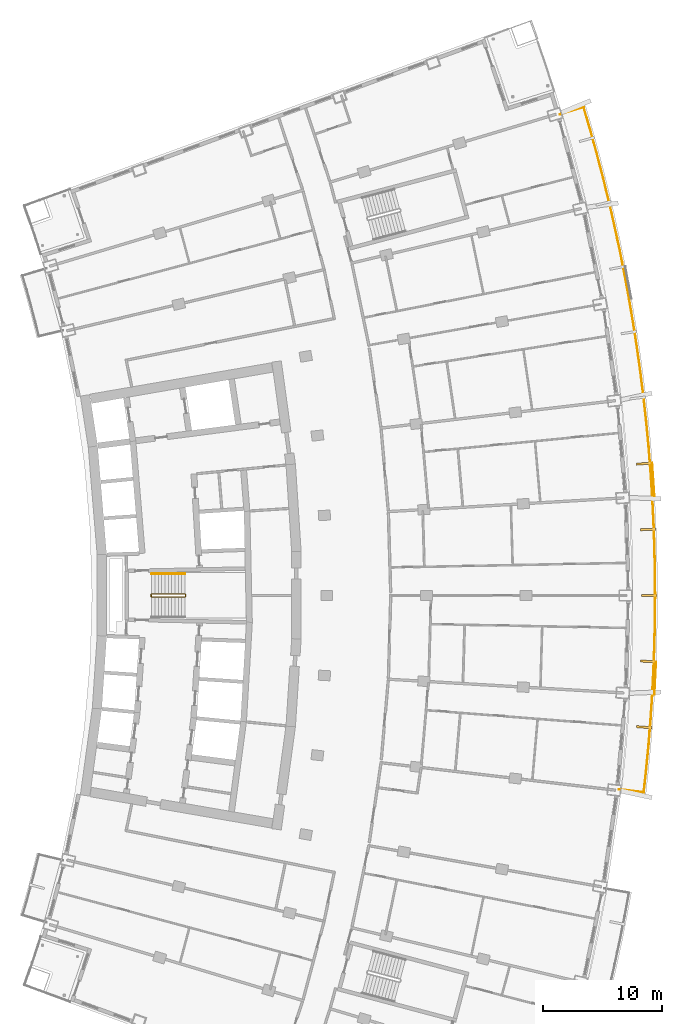
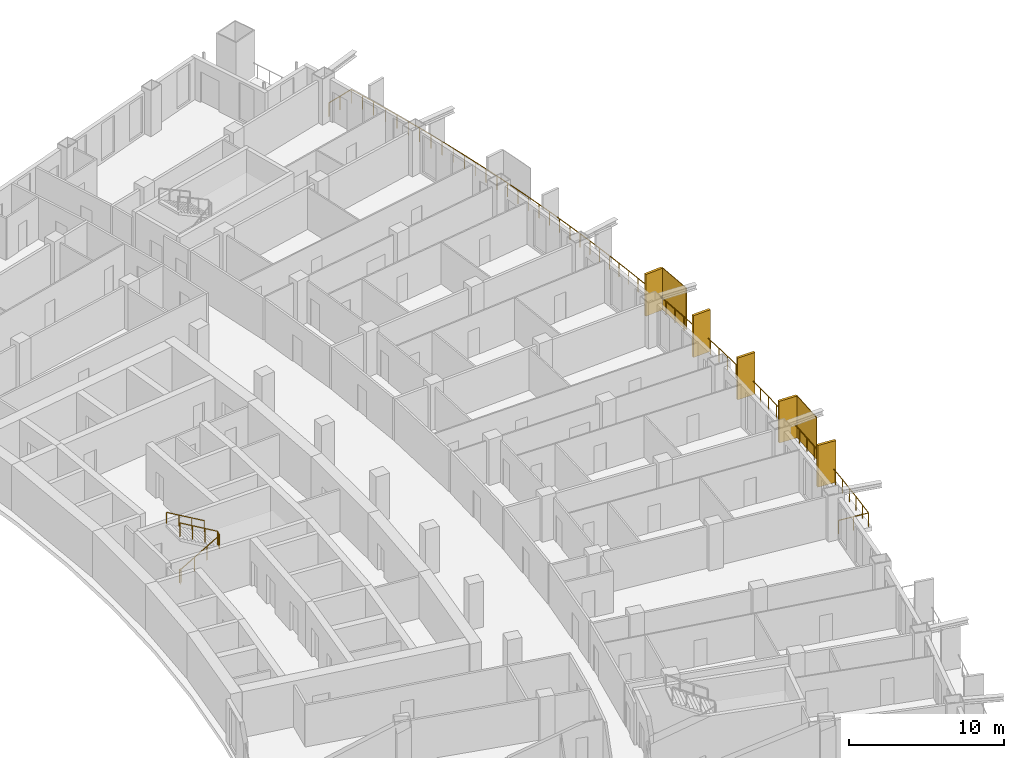
# One storey, part 24 of 25: 7 shading devices, 3 railings.
"""IFC4 building model written with IfcOpenShell, lengths in metres."""

from ifc_helpers import new_model, si_unit, direction, frame, origin, origin_2d, place, context, subcontext, project, spatial, rectangle, extrude, material, layer, layer_set, type_object, element, save


model = new_model("IFC4")

# Units and contexts
model_context = context("Model", 3, precision=1e-05, world=origin(), true_north=direction((0.0, 1.0)))
body_context = subcontext(model_context, "Body", "Model", "MODEL_VIEW")
ifc_project = project(units=[si_unit("LENGTHUNIT", "METRE"), si_unit("AREAUNIT", "SQUARE_METRE"), si_unit("VOLUMEUNIT", "CUBIC_METRE"), si_unit("PLANEANGLEUNIT", "RADIAN"), si_unit("MASSUNIT", "GRAM", prefix="KILO")], contexts=[model_context])

# Site, building, storey
site_placement = place(None, origin())
site = spatial("IfcSite", under=ifc_project, at=site_placement, CompositionType="ELEMENT")
building_placement = place(site_placement, origin())
building = spatial("IfcBuilding", under=site, at=building_placement, Name="Alderwake Tower", CompositionType="ELEMENT")
storey_placement = place(building_placement, frame((0.0, 0.0, 107.60009765625)))
storey = spatial("IfcBuildingStorey", under=building, at=storey_placement, Name="L26", CompositionType="ELEMENT", Elevation=107.60009765625)

# Railing
ifc_material_1 = material(Name="Stainless steel 316 rail and posts", Category="steel")
railing_type_1 = type_object("IfcRailingType", Name="Balcony guard 1100", PredefinedType="GUARDRAIL", material=ifc_material_1)
railing_1_placement = place(storey_placement, frame((60.4501953125, 44.638671875, 0.0)))
element("IfcRailing", 1, at=railing_1_placement, inside=storey, type_object=railing_type_1, Name="Guard BF05", PredefinedType="GUARDRAIL", context=body_context, shape_type="SweptSolid", body=[
    extrude(rectangle(XDim=0.048095703125, YDim=0.048095703125, at=origin_2d()), frame((0.0, 0.0, 1.076171875), z_axis=(0.993273839517, -0.115788944775, 0.0), x_axis=(0.115788944775, 0.993273839517, 0.0)), (0.0, 0.0, 1.0), 2.10009765625),
    extrude(rectangle(XDim=0.048095703125, YDim=0.048095703125, at=origin_2d()), frame((2.0859375, -0.2431640625, 1.076171875), z_axis=(0.108790906311, 0.994064655193, 0.0), x_axis=(-0.994064655193, 0.108790906311, 0.0)), (0.0, 0.0, 1.0), 1.99267578125),
    extrude(rectangle(XDim=0.048095703125, YDim=0.048095703125, at=origin_2d()), frame((2.302734375, 1.73779296875, 1.076171875), z_axis=(0.094616394776, 0.995513805951, 0.0), x_axis=(-0.995513805951, 0.094616394776, 0.0)), (0.0, 0.0, 1.0), 2.092529296875),
    extrude(rectangle(XDim=0.048095703125, YDim=0.048095703125, at=origin_2d()), frame((2.500732421875, 3.821044921875, 1.076171875), z_axis=(0.080148626966, 0.996782924009, 0.0), x_axis=(-0.996782924009, 0.080148626966, 0.0)), (0.0, 0.0, 1.0), 2.0927734375),
    extrude(rectangle(XDim=0.048095703125, YDim=0.048095703125, at=origin_2d()), frame((2.66845703125, 5.906982421875, 1.076171875), z_axis=(0.06556654831, 0.997848198747, 0.0), x_axis=(-0.997848198747, 0.06556654831, 0.0)), (0.0, 0.0, 1.0), 2.092529296875),
    extrude(rectangle(XDim=0.048095703125, YDim=0.048095703125, at=origin_2d()), frame((2.8056640625, 7.9951171875, 1.076171875), z_axis=(0.051095418046, 0.998693776017, 0.0), x_axis=(-0.998693776017, 0.051095418046, 0.0)), (0.0, 0.0, 1.0), 2.0927734375),
    extrude(rectangle(XDim=0.048095703125, YDim=0.048095703125, at=origin_2d()), frame((2.91259765625, 10.085205078125, 1.076171875), z_axis=(0.036398931808, 0.999337339322, 0.0), x_axis=(-0.999337339322, 0.036398931808, 0.0)), (0.0, 0.0, 1.0), 2.0927734375),
    extrude(rectangle(XDim=0.048095703125, YDim=0.048095703125, at=origin_2d()), frame((2.98876953125, 12.176513671875, 1.076171875), z_axis=(0.021815110635, 0.999762022157, 0.0), x_axis=(-0.999762022157, 0.021815110635, 0.0)), (0.0, 0.0, 1.0), 2.0927734375),
    extrude(rectangle(XDim=0.048095703125, YDim=0.048095703125, at=origin_2d()), frame((3.034423828125, 14.268798828125, 1.076171875), z_axis=(0.007350168964, 0.999972987143, 0.0), x_axis=(-0.999972987143, 0.007350168964, 0.0)), (0.0, 0.0, 1.0), 2.092529296875),
    extrude(rectangle(XDim=0.048095703125, YDim=0.048095703125, at=origin_2d()), frame((3.0498046875, 16.361328125, 1.076171875), z_axis=(-0.007350168964, 0.999972987143, 0.0), x_axis=(-0.999972987143, -0.007350168964, 0.0)), (0.0, 0.0, 1.0), 2.092529296875),
    extrude(rectangle(XDim=0.048095703125, YDim=0.048095703125, at=origin_2d()), frame((3.034423828125, 18.453857421875, 1.076171875), z_axis=(-0.021815110635, 0.999762022157, 0.0), x_axis=(-0.999762022157, -0.021815110635, 0.0)), (0.0, 0.0, 1.0), 2.0927734375),
    extrude(rectangle(XDim=0.048095703125, YDim=0.048095703125, at=origin_2d()), frame((2.98876953125, 20.546142578125, 1.076171875), z_axis=(-0.036398931808, 0.999337339322, 0.0), x_axis=(-0.999337339322, -0.036398931808, 0.0)), (0.0, 0.0, 1.0), 2.0927734375),
    extrude(rectangle(XDim=0.048095703125, YDim=0.048095703125, at=origin_2d()), frame((2.91259765625, 22.637451171875, 1.076171875), z_axis=(-0.051095418046, 0.998693776017, 0.0), x_axis=(-0.998693776017, -0.051095418046, 0.0)), (0.0, 0.0, 1.0), 2.0927734375),
    extrude(rectangle(XDim=0.048095703125, YDim=0.048095703125, at=origin_2d()), frame((2.8056640625, 24.7275390625, 1.076171875), z_axis=(-0.06556654831, 0.997848198747, 0.0), x_axis=(-0.997848198747, -0.06556654831, 0.0)), (0.0, 0.0, 1.0), 2.092529296875),
    extrude(rectangle(XDim=0.048095703125, YDim=0.048095703125, at=origin_2d()), frame((2.66845703125, 26.815673828125, 1.076171875), z_axis=(-0.080148626966, 0.996782924009, 0.0), x_axis=(-0.996782924009, -0.080148626966, 0.0)), (0.0, 0.0, 1.0), 2.0927734375),
    extrude(rectangle(XDim=0.048095703125, YDim=0.048095703125, at=origin_2d()), frame((2.500732421875, 28.901611328125, 1.076171875), z_axis=(-0.094616394776, 0.995513805951, 0.0), x_axis=(-0.995513805951, -0.094616394776, 0.0)), (0.0, 0.0, 1.0), 2.092529296875),
    extrude(rectangle(XDim=0.048095703125, YDim=0.048095703125, at=origin_2d()), frame((2.302734375, 30.98486328125, 1.076171875), z_axis=(-0.109202149119, 0.994019562497, 0.0), x_axis=(-0.994019562497, -0.109202149119, 0.0)), (0.0, 0.0, 1.0), 2.092529296875),
    extrude(rectangle(XDim=0.048095703125, YDim=0.048095703125, at=origin_2d()), frame((2.07421875, 33.06494140625, 1.076171875), z_axis=(-0.123546528168, 0.992338780547, 0.0), x_axis=(-0.992338780547, -0.123546528168, 0.0)), (0.0, 0.0, 1.0), 2.0927734375),
    extrude(rectangle(XDim=0.048095703125, YDim=0.048095703125, at=origin_2d()), frame((1.815673828125, 35.1416015625, 1.076171875), z_axis=(-0.138121519768, 0.990415289551, 0.0), x_axis=(-0.990415289551, -0.138121519768, 0.0)), (0.0, 0.0, 1.0), 2.0927734375),
    extrude(rectangle(XDim=0.048095703125, YDim=0.048095703125, at=origin_2d()), frame((1.526611328125, 37.21435546875, 1.076171875), z_axis=(-0.15248675564, 0.988305514178, 0.0), x_axis=(-0.988305514178, -0.15248675564, 0.0)), (0.0, 0.0, 1.0), 2.092529296875),
    extrude(rectangle(XDim=0.048095703125, YDim=0.048095703125, at=origin_2d()), frame((1.20751953125, 39.282470703125, 1.076171875), z_axis=(-0.166933326396, 0.985968186372, 0.0), x_axis=(-0.985968186372, -0.166933326396, 0.0)), (0.0, 0.0, 1.0), 2.0927734375),
    extrude(rectangle(XDim=0.048095703125, YDim=0.048095703125, at=origin_2d()), frame((0.858154296875, 41.345947265625, 1.076171875), z_axis=(-0.18130793509, 0.983426373794, 0.0), x_axis=(-0.983426373794, -0.18130793509, 0.0)), (0.0, 0.0, 1.0), 2.092529296875),
    extrude(rectangle(XDim=0.048095703125, YDim=0.048095703125, at=origin_2d()), frame((0.478759765625, 43.40380859375, 1.076171875), z_axis=(-0.195644970766, 0.980674790853, 0.0), x_axis=(-0.980674790853, -0.195644970766, 0.0)), (0.0, 0.0, 1.0), 2.0927734375),
    extrude(rectangle(XDim=0.048095703125, YDim=0.048095703125, at=origin_2d()), frame((0.0693359375, 45.4560546875, 1.076171875), z_axis=(-0.209871658439, 0.977728943513, 0.0), x_axis=(-0.977728943513, -0.209871658439, 0.0)), (0.0, 0.0, 1.0), 2.0927734375),
    extrude(rectangle(XDim=0.048095703125, YDim=0.048095703125, at=origin_2d()), frame((-0.369873046875, 47.502197265625, 1.076171875), z_axis=(-0.224101157754, 0.974565888534, 0.0), x_axis=(-0.974565888534, -0.224101157754, 0.0)), (0.0, 0.0, 1.0), 2.0927734375),
    extrude(rectangle(XDim=0.048095703125, YDim=0.048095703125, at=origin_2d()), frame((-0.8388671875, 49.541748046875, 1.076171875), z_axis=(-0.238360646186, 0.971176710156, 0.0), x_axis=(-0.971176710156, -0.238360646186, 0.0)), (0.0, 0.0, 1.0), 2.092529296875),
    extrude(rectangle(XDim=0.048095703125, YDim=0.048095703125, at=origin_2d()), frame((-1.337646484375, 51.573974609375, 1.076171875), z_axis=(-0.252459890033, 0.967607360413, 0.0), x_axis=(-0.967607360413, -0.252459890033, 0.0)), (0.0, 0.0, 1.0), 2.0927734375),
    extrude(rectangle(XDim=0.048095703125, YDim=0.048095703125, at=origin_2d()), frame((-1.865966796875, 53.598876953125, 1.076171875), z_axis=(-0.266452319336, 0.963848100854, 0.0), x_axis=(-0.963848100854, -0.266452319336, 0.0)), (0.0, 0.0, 1.0), 2.0927734375),
    extrude(rectangle(XDim=0.048095703125, YDim=0.048095703125, at=origin_2d()), frame((-2.423583984375, 55.615966796875, 1.076171875), z_axis=(-0.28031519248, 0.95990801271, 0.0), x_axis=(-0.95990801271, -0.28031519248, 0.0)), (0.0, 0.0, 1.0), 1.99267578125),
    extrude(rectangle(XDim=0.048095703125, YDim=0.048095703125, at=origin_2d()), frame((-2.982177734375, 57.52880859375, 1.076171875), z_axis=(-0.957954179098, -0.286921227429, 0.0), x_axis=(0.286921227429, -0.957954179098, 0.0)), (0.0, 0.0, 1.0), 2.10009765625),
    extrude(rectangle(XDim=0.0419921875, YDim=0.0419921875, at=origin_2d()), frame((0.0, 0.0, 0.0), z_axis=(0.0, 0.0, 1.0), x_axis=(0.993273839517, -0.115788944775, 0.0)), (0.0, 0.0, 1.0), 1.052001953125),
    extrude(rectangle(XDim=0.0419921875, YDim=0.0419921875, at=origin_2d()), frame((1.04296875, -0.12158203125, 0.0), z_axis=(0.0, 0.0, 1.0), x_axis=(0.993273839517, -0.115788944775, 0.0)), (0.0, 0.0, 1.0), 1.052001953125),
    extrude(rectangle(XDim=0.0419921875, YDim=0.0419921875, at=origin_2d()), frame((2.0859375, -0.2431640625, 0.0), z_axis=(0.0, 0.0, 1.0), x_axis=(0.108790906311, 0.994064655193, 0.0)), (0.0, 0.0, 1.0), 1.052001953125),
    extrude(rectangle(XDim=0.0419921875, YDim=0.0419921875, at=origin_2d()), frame((2.1943359375, 0.747314453125, 0.0), z_axis=(0.0, 0.0, 1.0), x_axis=(0.108790906311, 0.994064655193, 0.0)), (0.0, 0.0, 1.0), 1.052001953125),
    extrude(rectangle(XDim=0.0419921875, YDim=0.0419921875, at=origin_2d()), frame((2.302734375, 1.73779296875, 0.0), z_axis=(0.0, 0.0, 1.0), x_axis=(0.094616394776, 0.995513805951, 0.0)), (0.0, 0.0, 1.0), 1.052001953125),
    extrude(rectangle(XDim=0.0419921875, YDim=0.0419921875, at=origin_2d()), frame((2.40185546875, 2.779296875, 0.0), z_axis=(0.0, 0.0, 1.0), x_axis=(0.094616394776, 0.995513805951, 0.0)), (0.0, 0.0, 1.0), 1.052001953125),
    extrude(rectangle(XDim=0.0419921875, YDim=0.0419921875, at=origin_2d()), frame((2.500732421875, 3.821044921875, 0.0), z_axis=(0.0, 0.0, 1.0), x_axis=(0.080148626966, 0.996782924009, 0.0)), (0.0, 0.0, 1.0), 1.052001953125),
    extrude(rectangle(XDim=0.0419921875, YDim=0.0419921875, at=origin_2d()), frame((2.58447265625, 4.864013671875, 0.0), z_axis=(0.0, 0.0, 1.0), x_axis=(0.080148626966, 0.996782924009, 0.0)), (0.0, 0.0, 1.0), 1.052001953125),
    extrude(rectangle(XDim=0.0419921875, YDim=0.0419921875, at=origin_2d()), frame((2.66845703125, 5.906982421875, 0.0), z_axis=(0.0, 0.0, 1.0), x_axis=(0.06556654831, 0.997848198747, 0.0)), (0.0, 0.0, 1.0), 1.052001953125),
    extrude(rectangle(XDim=0.0419921875, YDim=0.0419921875, at=origin_2d()), frame((2.737060546875, 6.951171875, 0.0), z_axis=(0.0, 0.0, 1.0), x_axis=(0.06556654831, 0.997848198747, 0.0)), (0.0, 0.0, 1.0), 1.052001953125),
    extrude(rectangle(XDim=0.0419921875, YDim=0.0419921875, at=origin_2d()), frame((2.8056640625, 7.9951171875, 0.0), z_axis=(0.0, 0.0, 1.0), x_axis=(0.051095418046, 0.998693776017, 0.0)), (0.0, 0.0, 1.0), 1.052001953125),
    extrude(rectangle(XDim=0.0419921875, YDim=0.0419921875, at=origin_2d()), frame((2.859130859375, 9.0400390625, 0.0), z_axis=(0.0, 0.0, 1.0), x_axis=(0.051095418046, 0.998693776017, 0.0)), (0.0, 0.0, 1.0), 1.052001953125),
    extrude(rectangle(XDim=0.0419921875, YDim=0.0419921875, at=origin_2d()), frame((2.91259765625, 10.085205078125, 0.0), z_axis=(0.0, 0.0, 1.0), x_axis=(0.036398931808, 0.999337339322, 0.0)), (0.0, 0.0, 1.0), 1.052001953125),
    extrude(rectangle(XDim=0.0419921875, YDim=0.0419921875, at=origin_2d()), frame((2.95068359375, 11.130859375, 0.0), z_axis=(0.0, 0.0, 1.0), x_axis=(0.036398931808, 0.999337339322, 0.0)), (0.0, 0.0, 1.0), 1.052001953125),
    extrude(rectangle(XDim=0.0419921875, YDim=0.0419921875, at=origin_2d()), frame((2.98876953125, 12.176513671875, 0.0), z_axis=(0.0, 0.0, 1.0), x_axis=(0.021815110635, 0.999762022157, 0.0)), (0.0, 0.0, 1.0), 1.052001953125),
    extrude(rectangle(XDim=0.0419921875, YDim=0.0419921875, at=origin_2d()), frame((3.01171875, 13.22265625, 0.0), z_axis=(0.0, 0.0, 1.0), x_axis=(0.021815110635, 0.999762022157, 0.0)), (0.0, 0.0, 1.0), 1.052001953125),
    extrude(rectangle(XDim=0.0419921875, YDim=0.0419921875, at=origin_2d()), frame((3.034423828125, 14.268798828125, 0.0), z_axis=(0.0, 0.0, 1.0), x_axis=(0.007350168964, 0.999972987143, 0.0)), (0.0, 0.0, 1.0), 1.052001953125),
    extrude(rectangle(XDim=0.0419921875, YDim=0.0419921875, at=origin_2d()), frame((3.0419921875, 15.31494140625, 0.0), z_axis=(0.0, 0.0, 1.0), x_axis=(0.007350168964, 0.999972987143, 0.0)), (0.0, 0.0, 1.0), 1.052001953125),
    extrude(rectangle(XDim=0.0419921875, YDim=0.0419921875, at=origin_2d()), frame((3.0498046875, 16.361328125, 0.0), z_axis=(0.0, 0.0, 1.0), x_axis=(-0.007350168964, 0.999972987143, 0.0)), (0.0, 0.0, 1.0), 1.052001953125),
    extrude(rectangle(XDim=0.0419921875, YDim=0.0419921875, at=origin_2d()), frame((3.0419921875, 17.40771484375, 0.0), z_axis=(0.0, 0.0, 1.0), x_axis=(-0.007350168964, 0.999972987143, 0.0)), (0.0, 0.0, 1.0), 1.052001953125),
    extrude(rectangle(XDim=0.0419921875, YDim=0.0419921875, at=origin_2d()), frame((3.034423828125, 18.453857421875, 0.0), z_axis=(0.0, 0.0, 1.0), x_axis=(-0.021815110635, 0.999762022157, 0.0)), (0.0, 0.0, 1.0), 1.052001953125),
    extrude(rectangle(XDim=0.0419921875, YDim=0.0419921875, at=origin_2d()), frame((3.01171875, 19.5, 0.0), z_axis=(0.0, 0.0, 1.0), x_axis=(-0.021815110635, 0.999762022157, 0.0)), (0.0, 0.0, 1.0), 1.052001953125),
    extrude(rectangle(XDim=0.0419921875, YDim=0.0419921875, at=origin_2d()), frame((2.98876953125, 20.546142578125, 0.0), z_axis=(0.0, 0.0, 1.0), x_axis=(-0.036398931808, 0.999337339322, 0.0)), (0.0, 0.0, 1.0), 1.052001953125),
    extrude(rectangle(XDim=0.0419921875, YDim=0.0419921875, at=origin_2d()), frame((2.95068359375, 21.591796875, 0.0), z_axis=(0.0, 0.0, 1.0), x_axis=(-0.036398931808, 0.999337339322, 0.0)), (0.0, 0.0, 1.0), 1.052001953125),
    extrude(rectangle(XDim=0.0419921875, YDim=0.0419921875, at=origin_2d()), frame((2.91259765625, 22.637451171875, 0.0), z_axis=(0.0, 0.0, 1.0), x_axis=(-0.051095418046, 0.998693776017, 0.0)), (0.0, 0.0, 1.0), 1.052001953125),
    extrude(rectangle(XDim=0.0419921875, YDim=0.0419921875, at=origin_2d()), frame((2.859130859375, 23.6826171875, 0.0), z_axis=(0.0, 0.0, 1.0), x_axis=(-0.051095418046, 0.998693776017, 0.0)), (0.0, 0.0, 1.0), 1.052001953125),
    extrude(rectangle(XDim=0.0419921875, YDim=0.0419921875, at=origin_2d()), frame((2.8056640625, 24.7275390625, 0.0), z_axis=(0.0, 0.0, 1.0), x_axis=(-0.06556654831, 0.997848198747, 0.0)), (0.0, 0.0, 1.0), 1.052001953125),
    extrude(rectangle(XDim=0.0419921875, YDim=0.0419921875, at=origin_2d()), frame((2.737060546875, 25.771484375, 0.0), z_axis=(0.0, 0.0, 1.0), x_axis=(-0.06556654831, 0.997848198747, 0.0)), (0.0, 0.0, 1.0), 1.052001953125),
    extrude(rectangle(XDim=0.0419921875, YDim=0.0419921875, at=origin_2d()), frame((2.66845703125, 26.815673828125, 0.0), z_axis=(0.0, 0.0, 1.0), x_axis=(-0.080148626966, 0.996782924009, 0.0)), (0.0, 0.0, 1.0), 1.052001953125),
    extrude(rectangle(XDim=0.0419921875, YDim=0.0419921875, at=origin_2d()), frame((2.58447265625, 27.858642578125, 0.0), z_axis=(0.0, 0.0, 1.0), x_axis=(-0.080148626966, 0.996782924009, 0.0)), (0.0, 0.0, 1.0), 1.052001953125),
    extrude(rectangle(XDim=0.0419921875, YDim=0.0419921875, at=origin_2d()), frame((2.500732421875, 28.901611328125, 0.0), z_axis=(0.0, 0.0, 1.0), x_axis=(-0.094616394776, 0.995513805951, 0.0)), (0.0, 0.0, 1.0), 1.052001953125),
    extrude(rectangle(XDim=0.0419921875, YDim=0.0419921875, at=origin_2d()), frame((2.40185546875, 29.943359375, 0.0), z_axis=(0.0, 0.0, 1.0), x_axis=(-0.094616394776, 0.995513805951, 0.0)), (0.0, 0.0, 1.0), 1.052001953125),
    extrude(rectangle(XDim=0.0419921875, YDim=0.0419921875, at=origin_2d()), frame((2.302734375, 30.98486328125, 0.0), z_axis=(0.0, 0.0, 1.0), x_axis=(-0.109202149119, 0.994019562497, 0.0)), (0.0, 0.0, 1.0), 1.052001953125),
    extrude(rectangle(XDim=0.0419921875, YDim=0.0419921875, at=origin_2d()), frame((2.1884765625, 32.02490234375, 0.0), z_axis=(0.0, 0.0, 1.0), x_axis=(-0.109202149119, 0.994019562497, 0.0)), (0.0, 0.0, 1.0), 1.052001953125),
    extrude(rectangle(XDim=0.0419921875, YDim=0.0419921875, at=origin_2d()), frame((2.07421875, 33.06494140625, 0.0), z_axis=(0.0, 0.0, 1.0), x_axis=(-0.123546528168, 0.992338780547, 0.0)), (0.0, 0.0, 1.0), 1.052001953125),
    extrude(rectangle(XDim=0.0419921875, YDim=0.0419921875, at=origin_2d()), frame((1.94482421875, 34.103271484375, 0.0), z_axis=(0.0, 0.0, 1.0), x_axis=(-0.123546528168, 0.992338780547, 0.0)), (0.0, 0.0, 1.0), 1.052001953125),
    extrude(rectangle(XDim=0.0419921875, YDim=0.0419921875, at=origin_2d()), frame((1.815673828125, 35.1416015625, 0.0), z_axis=(0.0, 0.0, 1.0), x_axis=(-0.138121519768, 0.990415289551, 0.0)), (0.0, 0.0, 1.0), 1.052001953125),
    extrude(rectangle(XDim=0.0419921875, YDim=0.0419921875, at=origin_2d()), frame((1.671142578125, 36.177978515625, 0.0), z_axis=(0.0, 0.0, 1.0), x_axis=(-0.138121519768, 0.990415289551, 0.0)), (0.0, 0.0, 1.0), 1.052001953125),
    extrude(rectangle(XDim=0.0419921875, YDim=0.0419921875, at=origin_2d()), frame((1.526611328125, 37.21435546875, 0.0), z_axis=(0.0, 0.0, 1.0), x_axis=(-0.15248675564, 0.988305514178, 0.0)), (0.0, 0.0, 1.0), 1.052001953125),
    extrude(rectangle(XDim=0.0419921875, YDim=0.0419921875, at=origin_2d()), frame((1.3671875, 38.24853515625, 0.0), z_axis=(0.0, 0.0, 1.0), x_axis=(-0.15248675564, 0.988305514178, 0.0)), (0.0, 0.0, 1.0), 1.052001953125),
    extrude(rectangle(XDim=0.0419921875, YDim=0.0419921875, at=origin_2d()), frame((1.20751953125, 39.282470703125, 0.0), z_axis=(0.0, 0.0, 1.0), x_axis=(-0.166933326396, 0.985968186372, 0.0)), (0.0, 0.0, 1.0), 1.052001953125),
    extrude(rectangle(XDim=0.0419921875, YDim=0.0419921875, at=origin_2d()), frame((1.03271484375, 40.314208984375, 0.0), z_axis=(0.0, 0.0, 1.0), x_axis=(-0.166933326396, 0.985968186372, 0.0)), (0.0, 0.0, 1.0), 1.052001953125),
    extrude(rectangle(XDim=0.0419921875, YDim=0.0419921875, at=origin_2d()), frame((0.858154296875, 41.345947265625, 0.0), z_axis=(0.0, 0.0, 1.0), x_axis=(-0.18130793509, 0.983426373794, 0.0)), (0.0, 0.0, 1.0), 1.052001953125),
    extrude(rectangle(XDim=0.0419921875, YDim=0.0419921875, at=origin_2d()), frame((0.66845703125, 42.375, 0.0), z_axis=(0.0, 0.0, 1.0), x_axis=(-0.18130793509, 0.983426373794, 0.0)), (0.0, 0.0, 1.0), 1.052001953125),
    extrude(rectangle(XDim=0.0419921875, YDim=0.0419921875, at=origin_2d()), frame((0.478759765625, 43.40380859375, 0.0), z_axis=(0.0, 0.0, 1.0), x_axis=(-0.195644970766, 0.980674790853, 0.0)), (0.0, 0.0, 1.0), 1.052001953125),
    extrude(rectangle(XDim=0.0419921875, YDim=0.0419921875, at=origin_2d()), frame((0.27392578125, 44.429931640625, 0.0), z_axis=(0.0, 0.0, 1.0), x_axis=(-0.195644970766, 0.980674790853, 0.0)), (0.0, 0.0, 1.0), 1.052001953125),
    extrude(rectangle(XDim=0.0419921875, YDim=0.0419921875, at=origin_2d()), frame((0.0693359375, 45.4560546875, 0.0), z_axis=(0.0, 0.0, 1.0), x_axis=(-0.209871658439, 0.977728943513, 0.0)), (0.0, 0.0, 1.0), 1.052001953125),
    extrude(rectangle(XDim=0.0419921875, YDim=0.0419921875, at=origin_2d()), frame((-0.150390625, 46.47900390625, 0.0), z_axis=(0.0, 0.0, 1.0), x_axis=(-0.209871658439, 0.977728943513, 0.0)), (0.0, 0.0, 1.0), 1.052001953125),
    extrude(rectangle(XDim=0.0419921875, YDim=0.0419921875, at=origin_2d()), frame((-0.369873046875, 47.502197265625, 0.0), z_axis=(0.0, 0.0, 1.0), x_axis=(-0.224101157754, 0.974565888534, 0.0)), (0.0, 0.0, 1.0), 1.052001953125),
    extrude(rectangle(XDim=0.0419921875, YDim=0.0419921875, at=origin_2d()), frame((-0.6044921875, 48.52197265625, 0.0), z_axis=(0.0, 0.0, 1.0), x_axis=(-0.224101157754, 0.974565888534, 0.0)), (0.0, 0.0, 1.0), 1.052001953125),
    extrude(rectangle(XDim=0.0419921875, YDim=0.0419921875, at=origin_2d()), frame((-0.8388671875, 49.541748046875, 0.0), z_axis=(0.0, 0.0, 1.0), x_axis=(-0.238360646186, 0.971176710156, 0.0)), (0.0, 0.0, 1.0), 1.052001953125),
    extrude(rectangle(XDim=0.0419921875, YDim=0.0419921875, at=origin_2d()), frame((-1.08837890625, 50.557861328125, 0.0), z_axis=(0.0, 0.0, 1.0), x_axis=(-0.238360646186, 0.971176710156, 0.0)), (0.0, 0.0, 1.0), 1.052001953125),
    extrude(rectangle(XDim=0.0419921875, YDim=0.0419921875, at=origin_2d()), frame((-1.337646484375, 51.573974609375, 0.0), z_axis=(0.0, 0.0, 1.0), x_axis=(-0.252459890033, 0.967607360413, 0.0)), (0.0, 0.0, 1.0), 1.052001953125),
    extrude(rectangle(XDim=0.0419921875, YDim=0.0419921875, at=origin_2d()), frame((-1.601806640625, 52.58642578125, 0.0), z_axis=(0.0, 0.0, 1.0), x_axis=(-0.252459890033, 0.967607360413, 0.0)), (0.0, 0.0, 1.0), 1.052001953125),
    extrude(rectangle(XDim=0.0419921875, YDim=0.0419921875, at=origin_2d()), frame((-1.865966796875, 53.598876953125, 0.0), z_axis=(0.0, 0.0, 1.0), x_axis=(-0.266452319336, 0.963848100854, 0.0)), (0.0, 0.0, 1.0), 1.052001953125),
    extrude(rectangle(XDim=0.0419921875, YDim=0.0419921875, at=origin_2d()), frame((-2.144775390625, 54.607421875, 0.0), z_axis=(0.0, 0.0, 1.0), x_axis=(-0.266452319336, 0.963848100854, 0.0)), (0.0, 0.0, 1.0), 1.052001953125),
    extrude(rectangle(XDim=0.0419921875, YDim=0.0419921875, at=origin_2d()), frame((-2.423583984375, 55.615966796875, 0.0), z_axis=(0.0, 0.0, 1.0), x_axis=(-0.28031519248, 0.95990801271, 0.0)), (0.0, 0.0, 1.0), 1.052001953125),
    extrude(rectangle(XDim=0.0419921875, YDim=0.0419921875, at=origin_2d()), frame((-2.702880859375, 56.572265625, 0.0), z_axis=(0.0, 0.0, 1.0), x_axis=(-0.28031519248, 0.95990801271, 0.0)), (0.0, 0.0, 1.0), 1.052001953125),
    extrude(rectangle(XDim=0.0419921875, YDim=0.0419921875, at=origin_2d()), frame((-2.982177734375, 57.52880859375, 0.0), z_axis=(0.0, 0.0, 1.0), x_axis=(-0.957954179098, -0.286921227429, 0.0)), (0.0, 0.0, 1.0), 1.052001953125),
    extrude(rectangle(XDim=0.0419921875, YDim=0.0419921875, at=origin_2d()), frame((-3.988037109375, 57.2275390625, 0.0), z_axis=(0.0, 0.0, 1.0), x_axis=(-0.957954179098, -0.286921227429, 0.0)), (0.0, 0.0, 1.0), 1.052001953125),
    extrude(rectangle(XDim=0.0419921875, YDim=0.0419921875, at=origin_2d()), frame((-4.993896484375, 56.92626953125, 0.0), z_axis=(0.0, 0.0, 1.0), x_axis=(-0.957954179098, -0.286921227429, 0.0)), (0.0, 0.0, 1.0), 1.052001953125),
])

# Shading devices
ifc_material_2 = material(Name="Bronze anodised aluminium", Category="aluminium")
ifc_layer_1 = layer(ifc_material_2, 0.179931640625)
ifc_layer_set_1 = layer_set([ifc_layer_1], Name="Facade fin 1300")
shading_device_type_1 = type_object("IfcShadingDeviceType", Name="Facade fin 1300", PredefinedType="USERDEFINED", material=ifc_layer_set_1)
for number, where, z_axis, x_axis, name in (
    (2, (62.5673828125, 49.8857421875, 0.0), (0.0, 0.0, 1.0), (0.996975122026, -0.077721335943, 0.0), "Fin"),
    (3, (62.891845703125, 55.438720703125, 0.0), (0.0, 0.0, 1.0), (0.999243494356, -0.038890088543, 0.0), "Fin"),
    (4, (63.0, 61.0, 0.0), (0.0, 0.0, 1.0), (1.0, 0.0, 0.0), "Fin"),
    (5, (62.891845703125, 66.561279296875, 0.0), (0.0, 0.0, 1.0), (0.999243494356, 0.038890088543, 0.0), "Fin"),
    (6, (62.5673828125, 72.1142578125, 0.0), (0.0, 0.0, 1.0), (0.996975122026, 0.077721335943, 0.0), "Fin"),
):
    element("IfcShadingDevice", number, at=place(storey_placement, frame(where, z_axis=z_axis, x_axis=x_axis)), inside=storey, type_object=shading_device_type_1, Name=name, ObjectType="FIN", PredefinedType="USERDEFINED", context=body_context, shape_type="SweptSolid", body=[
        extrude(rectangle(XDim=1.300048828125, YDim=0.179931640625, at=origin_2d()), origin(), (0.0, 0.0, 1.0), 3.280029296875),
    ])
ifc_material_3 = material(Name="Perforated bronze anodised aluminium", Category="aluminium")
ifc_layer_2 = layer(ifc_material_3, 0.050048828125)
ifc_layer_set_2 = layer_set([ifc_layer_2], Name="Perforated screen panel")
shading_device_type_2 = type_object("IfcShadingDeviceType", Name="Perforated screen panel", PredefinedType="USERDEFINED", material=ifc_layer_set_2)
shading_device_1_placement = place(storey_placement, frame((63.49853515625, 54.0205078125, 0.0), z_axis=(0.0, 0.0, 1.0), x_axis=(0.998819231138, -0.048581308217, 0.0)))
element("IfcShadingDevice", 7, at=shading_device_1_placement, inside=storey, type_object=shading_device_type_2, Name="Screen panel", ObjectType="SCREEN", PredefinedType="USERDEFINED", context=body_context, shape_type="SweptSolid", body=[
    extrude(rectangle(XDim=0.050048828125, YDim=2.787353515625, at=origin_2d()), origin(), (0.0, 0.0, 1.0), 3.280029296875),
])
shading_device_2_placement = place(storey_placement, frame((63.335693359375, 70.76904296875, 0.0), z_axis=(0.0, 0.0, 1.0), x_axis=(0.997685465774, 0.067997877779, 0.0)))
element("IfcShadingDevice", 8, at=shading_device_2_placement, inside=storey, type_object=shading_device_type_2, Name="Screen panel", ObjectType="SCREEN", PredefinedType="USERDEFINED", context=body_context, shape_type="SweptSolid", body=[
    extrude(rectangle(XDim=0.050048828125, YDim=2.801513671875, at=origin_2d()), origin(), (0.0, 0.0, 1.0), 3.280029296875),
])

# Railings
ifc_material_4 = material(Name="Stainless steel guard", Category="steel")
railing_type_2 = type_object("IfcRailingType", Name="Stair guard 1100", PredefinedType="GUARDRAIL", material=ifc_material_4)
railing_2_placement = place(storey_placement, frame((20.989990234375, 60.925048828125, 0.0)))
element("IfcRailing", 9, at=railing_2_placement, inside=storey, type_object=railing_type_2, Name="L26 ST-B stair guard 1", PredefinedType="GUARDRAIL", context=body_context, shape_type="SweptSolid", body=[
    extrude(rectangle(XDim=0.048095703125, YDim=0.048095703125, at=origin_2d()), frame((0.0, 0.0, 1.076171875), z_axis=(0.0, 1.0, 0.0), x_axis=(-1.0, 0.0, 0.0)), (0.0, 0.0, 1.0), 0.14990234375),
    extrude(rectangle(XDim=0.048095703125, YDim=0.048095703125, at=origin_2d()), frame((0.0, 0.14990234375, 1.076171875), z_axis=(0.190199549216, -0.759870394187, 0.621627795), x_axis=(0.970072785993, 0.242814311512, 0.0)), (0.0, 0.0, 1.0), 0.26318359375),
    extrude(rectangle(XDim=0.048095703125, YDim=0.048095703125, at=origin_2d()), frame((0.050048828125, -0.050048828125, 1.23974609375), z_axis=(0.863393664356, 0.0, 0.504530851732), x_axis=(0.0, 1.0, 0.0)), (0.0, 0.0, 1.0), 3.2431640625),
    extrude(rectangle(XDim=0.048095703125, YDim=0.048095703125, at=origin_2d()), frame((2.85009765625, -0.050048828125, 2.8759765625), z_axis=(0.705375805398, 0.708833529934, 0.0), x_axis=(-0.708833529934, 0.705375805398, 0.0)), (0.0, 0.0, 1.0), 0.070556640625),
    extrude(rectangle(XDim=0.048095703125, YDim=0.048095703125, at=origin_2d()), frame((2.89990234375, 0.0, 2.8759765625), z_axis=(0.0, 1.0, 0.0), x_axis=(-1.0, 0.0, 0.0)), (0.0, 0.0, 1.0), 0.14990234375),
    extrude(rectangle(XDim=0.048095703125, YDim=0.048095703125, at=origin_2d()), frame((2.89990234375, 0.14990234375, 2.8759765625), z_axis=(-0.279194930351, 0.280563532951, 0.91833234444), x_axis=(-0.708833529934, -0.705375805398, 0.0)), (0.0, 0.0, 1.0), 0.178466796875),
    extrude(rectangle(XDim=0.048095703125, YDim=0.048095703125, at=origin_2d()), frame((2.85009765625, 0.199951171875, 3.03955078125), z_axis=(-0.863393664356, 0.0, 0.504530851732), x_axis=(0.0, -1.0, 0.0)), (0.0, 0.0, 1.0), 3.2431640625),
    extrude(rectangle(XDim=0.0419921875, YDim=0.0419921875, at=origin_2d()), frame((0.0, 0.0, 0.0), z_axis=(0.0, 0.0, 1.0), x_axis=(0.0, 1.0, 0.0)), (0.0, 0.0, 1.0), 1.052001953125),
    extrude(rectangle(XDim=0.0419921875, YDim=0.0419921875, at=origin_2d()), frame((0.0, 0.14990234375, 0.0), z_axis=(0.0, 0.0, 1.0), x_axis=(0.242814311512, -0.970072785993, 0.0)), (0.0, 0.0, 1.0), 1.052001953125),
    extrude(rectangle(XDim=0.0419921875, YDim=0.0419921875, at=origin_2d()), frame((0.050048828125, -0.050048828125, 0.16357421875), z_axis=(0.0, 0.0, 1.0), x_axis=(1.0, 0.0, 0.0)), (0.0, 0.0, 1.0), 1.052001953125),
    extrude(rectangle(XDim=0.0419921875, YDim=0.0419921875, at=origin_2d()), frame((0.9833984375, -0.050048828125, 0.708984375), z_axis=(0.0, 0.0, 1.0), x_axis=(1.0, 0.0, 0.0)), (0.0, 0.0, 1.0), 1.052001953125),
    extrude(rectangle(XDim=0.0419921875, YDim=0.0419921875, at=origin_2d()), frame((1.916748046875, -0.050048828125, 1.25439453125), z_axis=(0.0, 0.0, 1.0), x_axis=(1.0, 0.0, 0.0)), (0.0, 0.0, 1.0), 1.052001953125),
    extrude(rectangle(XDim=0.0419921875, YDim=0.0419921875, at=origin_2d()), frame((2.85009765625, -0.050048828125, 1.7998046875), z_axis=(0.0, 0.0, 1.0), x_axis=(0.705375805398, 0.708833529934, 0.0)), (0.0, 0.0, 1.0), 1.052001953125),
    extrude(rectangle(XDim=0.0419921875, YDim=0.0419921875, at=origin_2d()), frame((2.89990234375, 0.0, 1.7998046875), z_axis=(0.0, 0.0, 1.0), x_axis=(0.0, 1.0, 0.0)), (0.0, 0.0, 1.0), 1.052001953125),
    extrude(rectangle(XDim=0.0419921875, YDim=0.0419921875, at=origin_2d()), frame((2.89990234375, 0.14990234375, 1.7998046875), z_axis=(0.0, 0.0, 1.0), x_axis=(-0.705375805398, 0.708833529934, 0.0)), (0.0, 0.0, 1.0), 1.052001953125),
    extrude(rectangle(XDim=0.0419921875, YDim=0.0419921875, at=origin_2d()), frame((2.85009765625, 0.199951171875, 1.963623046875), z_axis=(0.0, 0.0, 1.0), x_axis=(-1.0, 0.0, 0.0)), (0.0, 0.0, 1.0), 1.052001953125),
    extrude(rectangle(XDim=0.0419921875, YDim=0.0419921875, at=origin_2d()), frame((1.916748046875, 0.199951171875, 2.509033203125), z_axis=(0.0, 0.0, 1.0), x_axis=(-1.0, 0.0, 0.0)), (0.0, 0.0, 1.0), 1.052001953125),
    extrude(rectangle(XDim=0.0419921875, YDim=0.0419921875, at=origin_2d()), frame((0.9833984375, 0.199951171875, 3.054443359375), z_axis=(0.0, 0.0, 1.0), x_axis=(-1.0, 0.0, 0.0)), (0.0, 0.0, 1.0), 1.052001953125),
    extrude(rectangle(XDim=0.0419921875, YDim=0.0419921875, at=origin_2d()), frame((0.050048828125, 0.199951171875, 3.599853515625), z_axis=(0.0, 0.0, 1.0), x_axis=(-1.0, 0.0, 0.0)), (0.0, 0.0, 1.0), 1.052001953125),
])
ifc_material_5 = material(Name="Stainless steel handrail", Category="steel")
railing_type_3 = type_object("IfcRailingType", Name="Stair handrail 900", PredefinedType="HANDRAIL", material=ifc_material_5)
railing_3_placement = place(storey_placement, frame((23.840087890625, 62.824951171875, 1.963623046875)))
element("IfcRailing", 10, at=railing_3_placement, inside=storey, type_object=railing_type_3, Name="L26 ST-B stair handrail 2", PredefinedType="HANDRAIL", context=body_context, shape_type="SweptSolid", body=[
    extrude(rectangle(XDim=0.048095703125, YDim=0.048095703125, at=origin_2d()), frame((0.0, 0.0, 0.8759765625), z_axis=(-0.863393664356, 0.0, 0.504530851732), x_axis=(0.0, -1.0, 0.0)), (0.0, 0.0, 1.0), 3.2431640625),
    extrude(rectangle(XDim=0.0419921875, YDim=0.0419921875, at=origin_2d()), frame((0.0, 0.0, 0.0), z_axis=(0.0, 0.0, 1.0), x_axis=(-1.0, 0.0, 0.0)), (0.0, 0.0, 1.0), 0.851806640625),
    extrude(rectangle(XDim=0.0419921875, YDim=0.0419921875, at=origin_2d()), frame((-0.933349609375, 0.0, 0.54541015625), z_axis=(0.0, 0.0, 1.0), x_axis=(-1.0, 0.0, 0.0)), (0.0, 0.0, 1.0), 0.851806640625),
    extrude(rectangle(XDim=0.0419921875, YDim=0.0419921875, at=origin_2d()), frame((-1.86669921875, 0.0, 1.0908203125), z_axis=(0.0, 0.0, 1.0), x_axis=(-1.0, 0.0, 0.0)), (0.0, 0.0, 1.0), 0.851806640625),
    extrude(rectangle(XDim=0.0419921875, YDim=0.0419921875, at=origin_2d()), frame((-2.800048828125, 0.0, 1.63623046875), z_axis=(0.0, 0.0, 1.0), x_axis=(-1.0, 0.0, 0.0)), (0.0, 0.0, 1.0), 0.851806640625),
])

save(model, "model.ifc")
